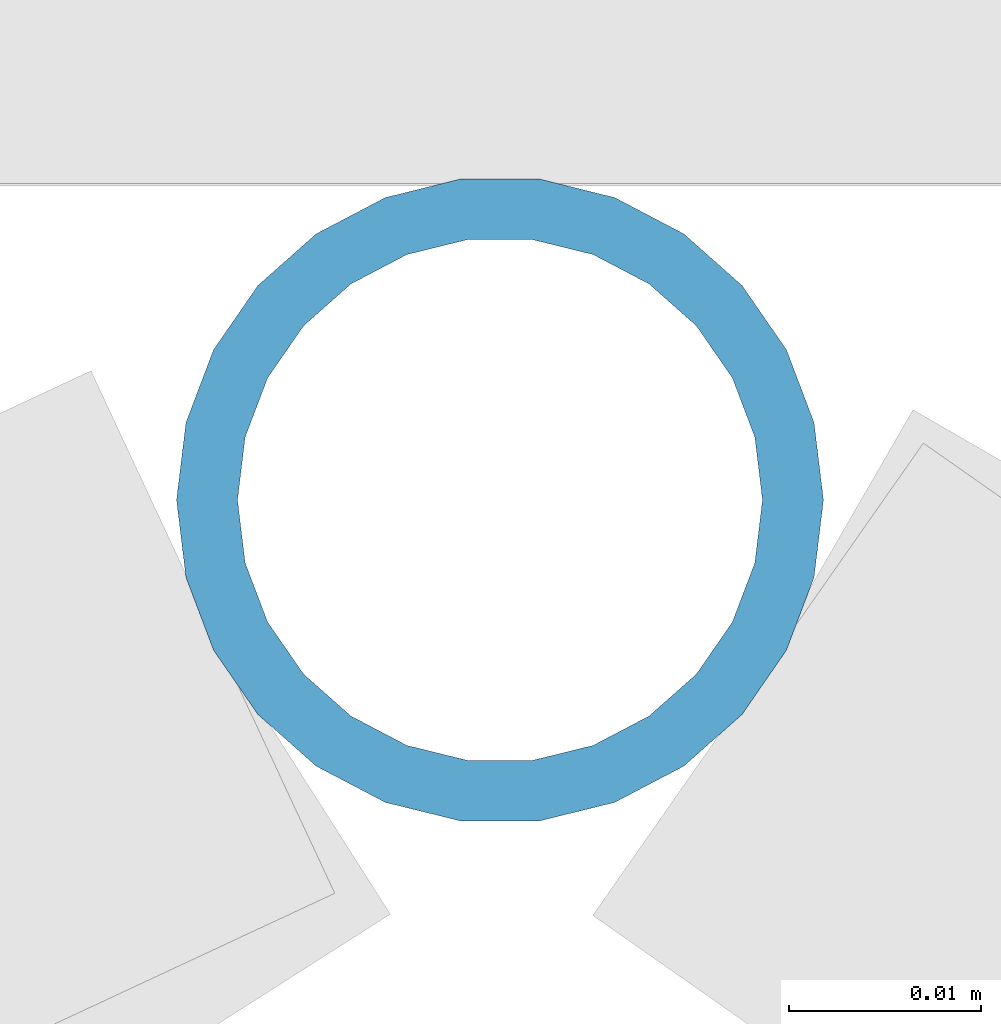
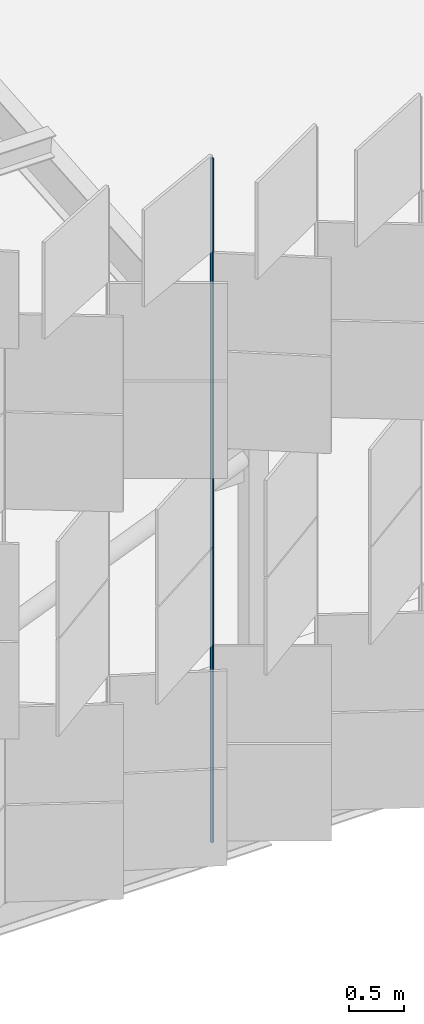
# One storey, part 229 of 483: 1 discrete accessory.
"""IFC4 building model written with IfcOpenShell, lengths in metres."""

from ifc_helpers import new_model, si_unit, direction, frame, origin, origin_2d, place, context, subcontext, project, spatial, hollow_circle, extrude, material, material_profile, profile_set, type_object, element, save


model = new_model("IFC4")

# Units and contexts
model_context = context("Model", 3, precision=1e-05, world=origin(), true_north=direction((0.0, 1.0)))
body_context = subcontext(model_context, "Body", "Model", "MODEL_VIEW")
ifc_project = project(units=[si_unit("LENGTHUNIT", "METRE"), si_unit("AREAUNIT", "SQUARE_METRE"), si_unit("VOLUMEUNIT", "CUBIC_METRE"), si_unit("PLANEANGLEUNIT", "RADIAN"), si_unit("MASSUNIT", "GRAM", prefix="KILO")], contexts=[model_context])

# Site, building, storey
site_placement = place(None, origin())
site = spatial("IfcSite", under=ifc_project, at=site_placement, CompositionType="ELEMENT")
building_placement = place(site_placement, origin())
building = spatial("IfcBuilding", under=site, at=building_placement, Name="Parallax Yard Mobility Hub", CompositionType="ELEMENT")
storey_placement = place(building_placement, frame((0.0, 0.0, 13.199951171875)))
storey = spatial("IfcBuildingStorey", under=building, at=storey_placement, Name="L04", CompositionType="ELEMENT", Elevation=13.199951171875)

# Discrete accessory
ifc_material = material(Name="Steel ASTM A500 Gr C, hot-dip galvanised", Category="steel")
ifc_material_profile = material_profile(ifc_material, hollow_circle(Radius=0.016845703125, WallThickness=0.003173828125, at=origin_2d()), Name="CHS 33.7x3.2")
ifc_profile_set = profile_set([ifc_material_profile], Name="Steel ASTM A500 Gr C, hot-dip galvanised")
discrete_accessory_type = type_object("IfcDiscreteAccessoryType", Name="Hinge post CHS 33.7x3.2", PredefinedType="BRACKET", material=ifc_profile_set)
discrete_accessory_placement = place(storey_placement, frame((163.923095703125, 111.89111328125, 0.0), z_axis=(0.0, 0.0, 1.0), x_axis=(1.0, 0.0, 0.0)))
element("IfcDiscreteAccessory", 1, at=discrete_accessory_placement, inside=storey, type_object=discrete_accessory_type, Name="Hinge post bay 16.7 level L04", PredefinedType="BRACKET", context=body_context, shape_type="SweptSolid", body=[
    extrude(hollow_circle(Radius=0.016845703125, WallThickness=0.003173828125, at=origin_2d()), origin(), (0.0, 0.0, 1.0), 7.650146484375),
])

save(model, "model.ifc")
